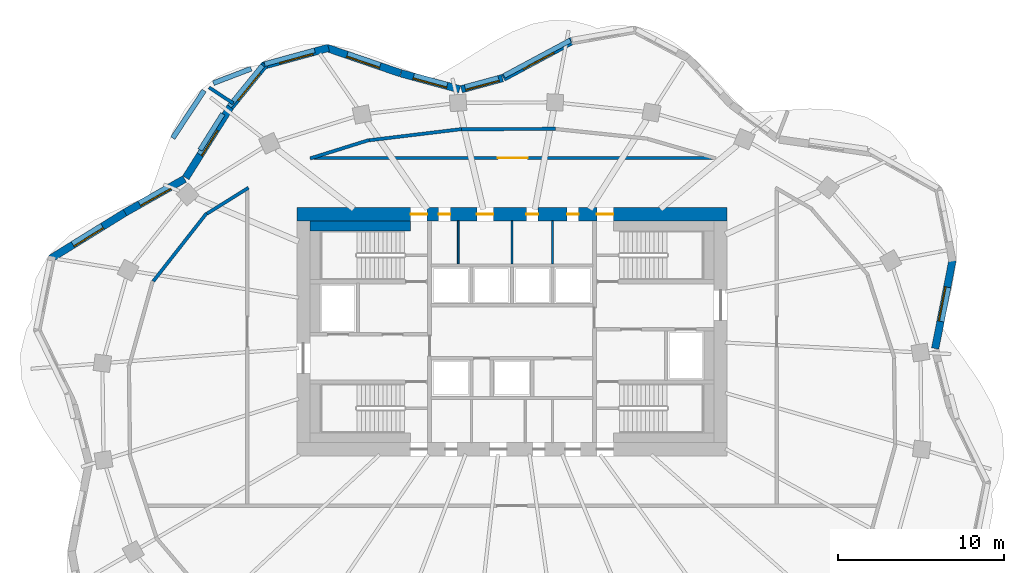
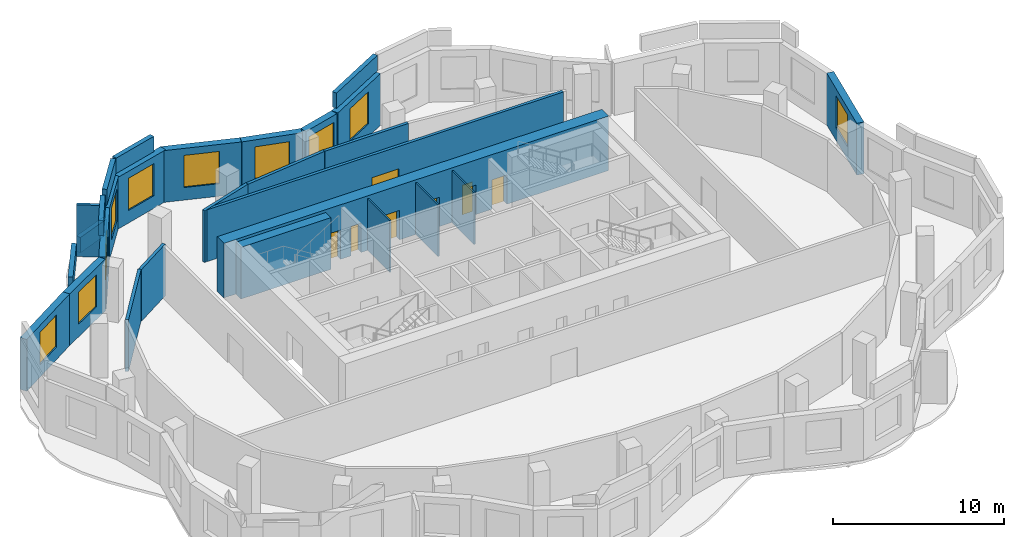
# One storey, part 6 of 8: 28 walls, 10 windows, 7 doors, 17 openings.
"""IFC4 building model written with IfcOpenShell, lengths in metres."""

from ifc_helpers import new_model, si_unit, direction, frame, frame_2d, origin, place, context, subcontext, project, spatial, rectangle, extrude, material, layer, layer_set, type_object, element, fill, save


model = new_model("IFC4")

# Units and contexts
model_context = context("Model", 3, precision=1e-05, world=origin(), true_north=direction((0.0, 1.0)))
body_context = subcontext(model_context, "Body", "Model", "MODEL_VIEW")
ifc_project = project(units=[si_unit("LENGTHUNIT", "METRE"), si_unit("AREAUNIT", "SQUARE_METRE"), si_unit("VOLUMEUNIT", "CUBIC_METRE"), si_unit("PLANEANGLEUNIT", "RADIAN"), si_unit("MASSUNIT", "GRAM", prefix="KILO")], contexts=[model_context])

# Site, building, storey
site_placement = place(None, origin())
site = spatial("IfcSite", under=ifc_project, at=site_placement, CompositionType="ELEMENT")
building_placement = place(site_placement, origin())
building = spatial("IfcBuilding", under=site, at=building_placement, Name="Rubra Terraces Tower", CompositionType="ELEMENT")
storey_placement = place(building_placement, frame((0.0, 0.0, 193.5)))
storey = spatial("IfcBuildingStorey", under=building, at=storey_placement, Name="L47", CompositionType="ELEMENT", Elevation=193.5)

# Walls
ifc_material_1 = material(Name="Brick masonry red-brown", Category="masonry")
ifc_layer_1 = layer(ifc_material_1, 0.300048828125)
ifc_layer_set_1 = layer_set([ifc_layer_1], Name="Brick masonry red-brown")
wall_type_1 = type_object("IfcWallType", Name="Brick edge guard 300", PredefinedType="PARAPET", material=ifc_layer_set_1)
wall_1_placement = place(storey_placement, frame((-20.486083984375, 16.201904296875, 0.0), z_axis=(0.0, 0.0, 1.0), x_axis=(0.550693748255, 0.834707371258, 0.0)))
element("IfcWall", 1, at=wall_1_placement, inside=storey, type_object=wall_type_1, Name="Edge guard L47.1", PredefinedType="PARAPET", context=body_context, shape_type="SweptSolid", body=[
    extrude(rectangle(XDim=3.436767578125, YDim=0.300048828125, at=frame_2d((1.71826171875, 0.0))), origin(), (0.0, 0.0, 1.0), 1.10009765625),
])
wall_2_placement = place(storey_placement, frame((-18.039794921875, 19.51806640625, 0.0), z_axis=(0.0, 0.0, 1.0), x_axis=(0.934050856072, 0.357140026139, 0.0)))
element("IfcWall", 2, at=wall_2_placement, inside=storey, type_object=wall_type_1, Name="Edge guard L47.2", PredefinedType="PARAPET", context=body_context, shape_type="SweptSolid", body=[
    extrude(rectangle(XDim=2.447265625, YDim=0.300048828125, at=frame_2d((1.2236328125, 0.0))), origin(), (0.0, 0.0, 1.0), 1.10009765625),
])

# Wall, opening, window
ifc_layer_2 = layer(ifc_material_1, 0.449951171875)
ifc_layer_set_2 = layer_set([ifc_layer_2], Name="Brick masonry red-brown")
wall_type_2 = type_object("IfcWallType", Name="Brick facade wall 450", PredefinedType="SOLIDWALL", material=ifc_layer_set_2)
wall_3_placement = place(storey_placement, frame((25.561279296875, 3.490478515625, 0.0), z_axis=(0.0, 0.0, 1.0), x_axis=(0.192494026297, 0.981298145234, 0.0)))
wall_3 = element("IfcWall", 3, at=wall_3_placement, inside=storey, type_object=wall_type_2, Name="Facade wall L47 bay 2", PredefinedType="SOLIDWALL", context=body_context, shape_type="SweptSolid", body=[
    extrude(rectangle(XDim=5.446044921875, YDim=0.449951171875, at=frame_2d((2.72314453125, 0.0))), origin(), (0.0, 0.0, 1.0), 3.699951171875),
])
opening_1_placement = place(wall_3_placement, frame((1.673095703125, 0.0, 0.89990234375)))
opening_1 = element("IfcOpeningElement", 4, at=opening_1_placement, cuts=wall_3, Name="Opening W1B", PredefinedType="OPENING", context=body_context, shape_type="SweptSolid", body=[
    extrude(rectangle(XDim=2.10009765625, YDim=2.300048828125, at=frame_2d((1.050048828125, 1.14990234375))), frame((0.0, 0.23486328125, 0.0), z_axis=(0.0, -1.0, 0.0), x_axis=(1.0, 0.0, 0.0)), (0.0, 0.0, 1.0), 0.469970703125),
])
ifc_material_2 = material(Name="Clear glass in aluminium frame", Category="aluminium")
window_type_1 = type_object("IfcWindowType", Name="Fixed deep-set window tall storey 2100 x 2300", PartitioningType="SINGLE_PANEL", PredefinedType="WINDOW", material=ifc_material_2)
window_1_placement = place(opening_1_placement, origin())
window_1 = element("IfcWindow", 5, at=window_1_placement, inside=storey, type_object=window_type_1, Name="Window L47 bay 2", OverallHeight=2.300048828125, OverallWidth=2.10009765625, PartitioningType="SINGLE_PANEL", PredefinedType="WINDOW", context=body_context, shape_type="SweptSolid", body=[
    extrude(rectangle(XDim=2.10009765625, YDim=2.300048828125, at=frame_2d((1.050048828125, 1.14990234375))), frame((0.0, 0.135009765625, 0.0), z_axis=(0.0, -1.0, 0.0), x_axis=(1.0, 0.0, 0.0)), (0.0, 0.0, 1.0), 0.06005859375),
])
fill(opening_1, window_1)

wall_4_placement = place(storey_placement, frame((3.6455078125, 22.07861328125, 0.0), z_axis=(0.0, 0.0, 1.0), x_axis=(-0.881279133897, -0.472596115259, 0.0)))
wall_4 = element("IfcWall", 6, at=wall_4_placement, inside=storey, type_object=wall_type_2, Name="Facade wall L47 bay 10", PredefinedType="SOLIDWALL", context=body_context, shape_type="SweptSolid", body=[
    extrude(rectangle(XDim=4.736572265625, YDim=0.449951171875, at=frame_2d((2.3681640625, 0.0))), origin(), (0.0, 0.0, 1.0), 3.699951171875),
])
opening_2_placement = place(wall_4_placement, frame((1.318115234375, 0.0, 0.89990234375)))
opening_2 = element("IfcOpeningElement", 7, at=opening_2_placement, cuts=wall_4, Name="Opening W1B", PredefinedType="OPENING", context=body_context, shape_type="SweptSolid", body=[
    extrude(rectangle(XDim=2.10009765625, YDim=2.300048828125, at=frame_2d((1.050048828125, 1.14990234375))), frame((0.0, 0.23486328125, 0.0), z_axis=(0.0, -1.0, 0.0), x_axis=(1.0, 0.0, 0.0)), (0.0, 0.0, 1.0), 0.469970703125),
])
window_2_placement = place(opening_2_placement, origin())
window_2 = element("IfcWindow", 8, at=window_2_placement, inside=storey, type_object=window_type_1, Name="Window L47 bay 10", OverallHeight=2.300048828125, OverallWidth=2.10009765625, PartitioningType="SINGLE_PANEL", PredefinedType="WINDOW", context=body_context, shape_type="SweptSolid", body=[
    extrude(rectangle(XDim=2.10009765625, YDim=2.300048828125, at=frame_2d((1.050048828125, 1.14990234375))), frame((0.0, 0.135009765625, 0.0), z_axis=(0.0, -1.0, 0.0), x_axis=(1.0, 0.0, 0.0)), (0.0, 0.0, 1.0), 0.06005859375),
])
fill(opening_2, window_2)

wall_5_placement = place(storey_placement, frame((-0.576171875, 19.8212890625, 0.0), z_axis=(0.0, 0.0, 1.0), x_axis=(-0.965009398019, -0.262215296532, 0.0)))
wall_5 = element("IfcWall", 9, at=wall_5_placement, inside=storey, type_object=wall_type_2, Name="Facade wall L47 bay 11", PredefinedType="SOLIDWALL", context=body_context, shape_type="SweptSolid", body=[
    extrude(rectangle(XDim=2.565185546875, YDim=0.449951171875, at=frame_2d((1.28271484375, 0.0))), origin(), (0.0, 0.0, 1.0), 3.699951171875),
])
opening_3_placement = place(wall_5_placement, frame((0.232666015625, 0.0, 0.89990234375)))
opening_3 = element("IfcOpeningElement", 10, at=opening_3_placement, cuts=wall_5, Name="Opening W1B", PredefinedType="OPENING", context=body_context, shape_type="SweptSolid", body=[
    extrude(rectangle(XDim=2.10009765625, YDim=2.300048828125, at=frame_2d((1.050048828125, 1.14990234375))), frame((0.0, 0.23486328125, 0.0), z_axis=(0.0, -1.0, 0.0), x_axis=(1.0, 0.0, 0.0)), (0.0, 0.0, 1.0), 0.469970703125),
])
window_3_placement = place(opening_3_placement, origin())
window_3 = element("IfcWindow", 11, at=window_3_placement, inside=storey, type_object=window_type_1, Name="Window L47 bay 11", OverallHeight=2.300048828125, OverallWidth=2.10009765625, PartitioningType="SINGLE_PANEL", PredefinedType="WINDOW", context=body_context, shape_type="SweptSolid", body=[
    extrude(rectangle(XDim=2.10009765625, YDim=2.300048828125, at=frame_2d((1.050048828125, 1.14990234375))), frame((0.0, 0.135009765625, 0.0), z_axis=(0.0, -1.0, 0.0), x_axis=(1.0, 0.0, 0.0)), (0.0, 0.0, 1.0), 0.06005859375),
])
fill(opening_3, window_3)

wall_6_placement = place(storey_placement, frame((-3.164306640625, 19.147216796875, 0.0), z_axis=(0.0, 0.0, 1.0), x_axis=(-0.965039479998, 0.262104563191, 0.0)))
wall_6 = element("IfcWall", 12, at=wall_6_placement, inside=storey, type_object=wall_type_2, Name="Facade wall L47 bay 12", PredefinedType="SOLIDWALL", context=body_context, shape_type="SweptSolid", body=[
    extrude(rectangle(XDim=3.671875, YDim=0.449951171875, at=frame_2d((1.8359375, 0.0))), origin(), (0.0, 0.0, 1.0), 3.699951171875),
])
opening_4_placement = place(wall_6_placement, frame((0.785888671875, 0.0, 0.89990234375)))
opening_4 = element("IfcOpeningElement", 13, at=opening_4_placement, cuts=wall_6, Name="Opening W1B", PredefinedType="OPENING", context=body_context, shape_type="SweptSolid", body=[
    extrude(rectangle(XDim=2.10009765625, YDim=2.300048828125, at=frame_2d((1.050048828125, 1.14990234375))), frame((0.0, 0.23486328125, 0.0), z_axis=(0.0, -1.0, 0.0), x_axis=(1.0, 0.0, 0.0)), (0.0, 0.0, 1.0), 0.469970703125),
])
window_4_placement = place(opening_4_placement, origin())
window_4 = element("IfcWindow", 14, at=window_4_placement, inside=storey, type_object=window_type_1, Name="Window L47 bay 12", OverallHeight=2.300048828125, OverallWidth=2.10009765625, PartitioningType="SINGLE_PANEL", PredefinedType="WINDOW", context=body_context, shape_type="SweptSolid", body=[
    extrude(rectangle(XDim=2.10009765625, YDim=2.300048828125, at=frame_2d((1.050048828125, 1.14990234375))), frame((0.0, 0.135009765625, 0.0), z_axis=(0.0, -1.0, 0.0), x_axis=(1.0, 0.0, 0.0)), (0.0, 0.0, 1.0), 0.06005859375),
])
fill(opening_4, window_4)

wall_7_placement = place(storey_placement, frame((-6.722900390625, 20.114013671875, 0.0), z_axis=(0.0, 0.0, 1.0), x_axis=(-0.945947299026, 0.324320377815, 0.0)))
wall_7 = element("IfcWall", 15, at=wall_7_placement, inside=storey, type_object=wall_type_2, Name="Facade wall L47 bay 13", PredefinedType="SOLIDWALL", context=body_context, shape_type="SweptSolid", body=[
    extrude(rectangle(XDim=4.74462890625, YDim=0.449951171875, at=frame_2d((2.372314453125, 0.0))), origin(), (0.0, 0.0, 1.0), 3.699951171875),
])
opening_5_placement = place(wall_7_placement, frame((1.322265625, 0.0, 0.89990234375)))
opening_5 = element("IfcOpeningElement", 16, at=opening_5_placement, cuts=wall_7, Name="Opening W1B", PredefinedType="OPENING", context=body_context, shape_type="SweptSolid", body=[
    extrude(rectangle(XDim=2.10009765625, YDim=2.300048828125, at=frame_2d((1.050048828125, 1.14990234375))), frame((0.0, 0.23486328125, 0.0), z_axis=(0.0, -1.0, 0.0), x_axis=(1.0, 0.0, 0.0)), (0.0, 0.0, 1.0), 0.469970703125),
])
window_5_placement = place(opening_5_placement, origin())
window_5 = element("IfcWindow", 17, at=window_5_placement, inside=storey, type_object=window_type_1, Name="Window L47 bay 13", OverallHeight=2.300048828125, OverallWidth=2.10009765625, PartitioningType="SINGLE_PANEL", PredefinedType="WINDOW", context=body_context, shape_type="SweptSolid", body=[
    extrude(rectangle(XDim=2.10009765625, YDim=2.300048828125, at=frame_2d((1.050048828125, 1.14990234375))), frame((0.0, 0.135009765625, 0.0), z_axis=(0.0, -1.0, 0.0), x_axis=(1.0, 0.0, 0.0)), (0.0, 0.0, 1.0), 0.06005859375),
])
fill(opening_5, window_5)

wall_8_placement = place(storey_placement, frame((-11.08251953125, 21.64990234375, 0.0), z_axis=(0.0, 0.0, 1.0), x_axis=(-0.964483204983, -0.264144179011, 0.0)))
wall_8 = element("IfcWall", 18, at=wall_8_placement, inside=storey, type_object=wall_type_2, Name="Facade wall L47 bay 14", PredefinedType="SOLIDWALL", context=body_context, shape_type="SweptSolid", body=[
    extrude(rectangle(XDim=4.103759765625, YDim=0.449951171875, at=frame_2d((2.0517578125, 0.0))), origin(), (0.0, 0.0, 1.0), 3.699951171875),
])
opening_6_placement = place(wall_8_placement, frame((1.001953125, 0.0, 0.89990234375)))
opening_6 = element("IfcOpeningElement", 19, at=opening_6_placement, cuts=wall_8, Name="Opening W1B", PredefinedType="OPENING", context=body_context, shape_type="SweptSolid", body=[
    extrude(rectangle(XDim=2.10009765625, YDim=2.300048828125, at=frame_2d((1.050048828125, 1.14990234375))), frame((0.0, 0.23486328125, 0.0), z_axis=(0.0, -1.0, 0.0), x_axis=(1.0, 0.0, 0.0)), (0.0, 0.0, 1.0), 0.469970703125),
])
window_6_placement = place(opening_6_placement, origin())
window_6 = element("IfcWindow", 20, at=window_6_placement, inside=storey, type_object=window_type_1, Name="Window L47 bay 14", OverallHeight=2.300048828125, OverallWidth=2.10009765625, PartitioningType="SINGLE_PANEL", PredefinedType="WINDOW", context=body_context, shape_type="SweptSolid", body=[
    extrude(rectangle(XDim=2.10009765625, YDim=2.300048828125, at=frame_2d((1.050048828125, 1.14990234375))), frame((0.0, 0.135009765625, 0.0), z_axis=(0.0, -1.0, 0.0), x_axis=(1.0, 0.0, 0.0)), (0.0, 0.0, 1.0), 0.06005859375),
])
fill(opening_6, window_6)

wall_9_placement = place(storey_placement, frame((-14.925537109375, 20.640869140625, 0.0), z_axis=(0.0, 0.0, 1.0), x_axis=(-0.631548074669, -0.775336720001, 0.0)))
wall_9 = element("IfcWall", 21, at=wall_9_placement, inside=storey, type_object=wall_type_2, Name="Facade wall L47 bay 15", PredefinedType="SOLIDWALL", context=body_context, shape_type="SweptSolid", body=[
    extrude(rectangle(XDim=3.3076171875, YDim=0.449951171875, at=frame_2d((1.65380859375, 0.0))), origin(), (0.0, 0.0, 1.0), 3.699951171875),
])
opening_7_placement = place(wall_9_placement, frame((0.603759765625, 0.0, 0.89990234375)))
opening_7 = element("IfcOpeningElement", 22, at=opening_7_placement, cuts=wall_9, Name="Opening W1B", PredefinedType="OPENING", context=body_context, shape_type="SweptSolid", body=[
    extrude(rectangle(XDim=2.10009765625, YDim=2.300048828125, at=frame_2d((1.050048828125, 1.14990234375))), frame((0.0, 0.23486328125, 0.0), z_axis=(0.0, -1.0, 0.0), x_axis=(1.0, 0.0, 0.0)), (0.0, 0.0, 1.0), 0.469970703125),
])
window_7_placement = place(opening_7_placement, origin())
window_7 = element("IfcWindow", 23, at=window_7_placement, inside=storey, type_object=window_type_1, Name="Window L47 bay 15", OverallHeight=2.300048828125, OverallWidth=2.10009765625, PartitioningType="SINGLE_PANEL", PredefinedType="WINDOW", context=body_context, shape_type="SweptSolid", body=[
    extrude(rectangle(XDim=2.10009765625, YDim=2.300048828125, at=frame_2d((1.050048828125, 1.14990234375))), frame((0.0, 0.135009765625, 0.0), z_axis=(0.0, -1.0, 0.0), x_axis=(1.0, 0.0, 0.0)), (0.0, 0.0, 1.0), 0.06005859375),
])
fill(opening_7, window_7)

wall_10_placement = place(storey_placement, frame((-16.998291015625, 18.0986328125, 0.0), z_axis=(0.0, 0.0, 1.0), x_axis=(-0.532745661304, -0.846275404559, 0.0)))
wall_10 = element("IfcWall", 24, at=wall_10_placement, inside=storey, type_object=wall_type_2, Name="Facade wall L47 bay 16", PredefinedType="SOLIDWALL", context=body_context, shape_type="SweptSolid", body=[
    extrude(rectangle(XDim=5.076171875, YDim=0.449951171875, at=frame_2d((2.5380859375, 0.0))), origin(), (0.0, 0.0, 1.0), 3.699951171875),
])
opening_8_placement = place(wall_10_placement, frame((1.63818359375, 0.0, 0.89990234375)))
opening_8 = element("IfcOpeningElement", 25, at=opening_8_placement, cuts=wall_10, Name="Opening W6B", PredefinedType="OPENING", context=body_context, shape_type="SweptSolid", body=[
    extrude(rectangle(XDim=1.800048828125, YDim=2.300048828125, at=frame_2d((0.89990234375, 1.14990234375))), frame((0.0, 0.23486328125, 0.0), z_axis=(0.0, -1.0, 0.0), x_axis=(1.0, 0.0, 0.0)), (0.0, 0.0, 1.0), 0.469970703125),
])
window_type_2 = type_object("IfcWindowType", Name="Fixed deep-set window at wind fin tall storey 1800 x 2300", PartitioningType="SINGLE_PANEL", PredefinedType="WINDOW", material=ifc_material_2)
window_8_placement = place(opening_8_placement, origin())
window_8 = element("IfcWindow", 26, at=window_8_placement, inside=storey, type_object=window_type_2, Name="Window L47 bay 16", OverallHeight=2.300048828125, OverallWidth=1.800048828125, PartitioningType="SINGLE_PANEL", PredefinedType="WINDOW", context=body_context, shape_type="SweptSolid", body=[
    extrude(rectangle(XDim=1.800048828125, YDim=2.300048828125, at=frame_2d((0.89990234375, 1.14990234375))), frame((0.0, 0.135009765625, 0.0), z_axis=(0.0, -1.0, 0.0), x_axis=(1.0, 0.0, 0.0)), (0.0, 0.0, 1.0), 0.06005859375),
])
fill(opening_8, window_8)

wall_11_placement = place(storey_placement, frame((-19.77587890625, 13.730712890625, 0.0), z_axis=(0.0, 0.0, 1.0), x_axis=(-0.870610133829, -0.491973571318, 0.0)))
wall_11 = element("IfcWall", 27, at=wall_11_placement, inside=storey, type_object=wall_type_2, Name="Facade wall L47 bay 17", PredefinedType="SOLIDWALL", context=body_context, shape_type="SweptSolid", body=[
    extrude(rectangle(XDim=4.1337890625, YDim=0.449951171875, at=frame_2d((2.06689453125, 0.0))), origin(), (0.0, 0.0, 1.0), 3.699951171875),
])
opening_9_placement = place(wall_11_placement, frame((1.016845703125, 0.0, 0.89990234375)))
opening_9 = element("IfcOpeningElement", 28, at=opening_9_placement, cuts=wall_11, Name="Opening W1B", PredefinedType="OPENING", context=body_context, shape_type="SweptSolid", body=[
    extrude(rectangle(XDim=2.10009765625, YDim=2.300048828125, at=frame_2d((1.050048828125, 1.14990234375))), frame((0.0, 0.23486328125, 0.0), z_axis=(0.0, -1.0, 0.0), x_axis=(1.0, 0.0, 0.0)), (0.0, 0.0, 1.0), 0.469970703125),
])
window_9_placement = place(opening_9_placement, origin())
window_9 = element("IfcWindow", 29, at=window_9_placement, inside=storey, type_object=window_type_1, Name="Window L47 bay 17", OverallHeight=2.300048828125, OverallWidth=2.10009765625, PartitioningType="SINGLE_PANEL", PredefinedType="WINDOW", context=body_context, shape_type="SweptSolid", body=[
    extrude(rectangle(XDim=2.10009765625, YDim=2.300048828125, at=frame_2d((1.050048828125, 1.14990234375))), frame((0.0, 0.135009765625, 0.0), z_axis=(0.0, -1.0, 0.0), x_axis=(1.0, 0.0, 0.0)), (0.0, 0.0, 1.0), 0.06005859375),
])
fill(opening_9, window_9)

wall_12_placement = place(storey_placement, frame((-23.368408203125, 11.700927734375, 0.0), z_axis=(0.0, 0.0, 1.0), x_axis=(-0.850251408633, -0.526376806211, 0.0)))
wall_12 = element("IfcWall", 30, at=wall_12_placement, inside=storey, type_object=wall_type_2, Name="Facade wall L47 bay 18", PredefinedType="SOLIDWALL", context=body_context, shape_type="SweptSolid", body=[
    extrude(rectangle(XDim=5.30224609375, YDim=0.449951171875, at=frame_2d((2.651123046875, 0.0))), origin(), (0.0, 0.0, 1.0), 3.699951171875),
])
opening_10_placement = place(wall_12_placement, frame((1.601318359375, 0.0, 0.89990234375)))
opening_10 = element("IfcOpeningElement", 31, at=opening_10_placement, cuts=wall_12, Name="Opening W1B", PredefinedType="OPENING", context=body_context, shape_type="SweptSolid", body=[
    extrude(rectangle(XDim=2.10009765625, YDim=2.300048828125, at=frame_2d((1.050048828125, 1.14990234375))), frame((0.0, 0.23486328125, 0.0), z_axis=(0.0, -1.0, 0.0), x_axis=(1.0, 0.0, 0.0)), (0.0, 0.0, 1.0), 0.469970703125),
])
window_10_placement = place(opening_10_placement, origin())
window_10 = element("IfcWindow", 32, at=window_10_placement, inside=storey, type_object=window_type_1, Name="Window L47 bay 18", OverallHeight=2.300048828125, OverallWidth=2.10009765625, PartitioningType="SINGLE_PANEL", PredefinedType="WINDOW", context=body_context, shape_type="SweptSolid", body=[
    extrude(rectangle(XDim=2.10009765625, YDim=2.300048828125, at=frame_2d((1.050048828125, 1.14990234375))), frame((0.0, 0.135009765625, 0.0), z_axis=(0.0, -1.0, 0.0), x_axis=(1.0, 0.0, 0.0)), (0.0, 0.0, 1.0), 0.06005859375),
])
fill(opening_10, window_10)

# Walls
ifc_layer_3 = layer(ifc_material_1, 0.300048828125)
ifc_layer_set_3 = layer_set([ifc_layer_3], Name="Brick masonry red-brown")
wall_type_3 = type_object("IfcWallType", Name="Brick parapet 300", PredefinedType="PARAPET", material=ifc_layer_set_3)
wall_13_placement = place(storey_placement, frame((3.52978515625, 22.105712890625, 3.89990234375), z_axis=(0.0, 0.0, 1.0), x_axis=(-0.881258931682, -0.472633785643, 0.0)))
element("IfcWall", 33, at=wall_13_placement, inside=storey, type_object=wall_type_3, Name="Parapet L47 bay 10", PredefinedType="PARAPET", context=body_context, shape_type="SweptSolid", body=[
    extrude(rectangle(XDim=4.55029296875, YDim=0.300048828125, at=frame_2d((2.275146484375, 0.0))), origin(), (0.0, 0.0, 1.0), 1.10009765625),
])
wall_14_placement = place(storey_placement, frame((-11.916259765625, 21.49951171875, 3.89990234375), z_axis=(0.0, 0.0, 1.0), x_axis=(-0.964473787466, -0.264178563271, 0.0)))
element("IfcWall", 34, at=wall_14_placement, inside=storey, type_object=wall_type_3, Name="Parapet L47 bay 14", PredefinedType="PARAPET", context=body_context, shape_type="SweptSolid", body=[
    extrude(rectangle(XDim=3.1337890625, YDim=0.300048828125, at=frame_2d((1.56689453125, 0.0))), origin(), (0.0, 0.0, 1.0), 1.10009765625),
])
wall_15_placement = place(storey_placement, frame((-15.063232421875, 20.590576171875, 3.89990234375), z_axis=(0.0, 0.0, 1.0), x_axis=(-0.631539712948, -0.775343530939, 0.0)))
element("IfcWall", 35, at=wall_15_placement, inside=storey, type_object=wall_type_3, Name="Parapet L47 bay 15", PredefinedType="PARAPET", context=body_context, shape_type="SweptSolid", body=[
    extrude(rectangle(XDim=3.181640625, YDim=0.300048828125, at=frame_2d((1.5908203125, 0.0))), origin(), (0.0, 0.0, 1.0), 1.10009765625),
])
wall_16_placement = place(storey_placement, frame((-17.4658203125, 17.663818359375, 3.89990234375), z_axis=(0.0, 0.0, 1.0), x_axis=(-0.532743008157, -0.846277074758, 0.0)))
element("IfcWall", 36, at=wall_16_placement, inside=storey, type_object=wall_type_3, Name="Parapet L47 bay 16", PredefinedType="PARAPET", context=body_context, shape_type="SweptSolid", body=[
    extrude(rectangle(XDim=2.58056640625, YDim=0.300048828125, at=frame_2d((1.290283203125, 0.0))), origin(), (0.0, 0.0, 1.0), 1.10009765625),
])
ifc_layer_4 = layer(ifc_material_1, 0.199951171875)
ifc_layer_set_4 = layer_set([ifc_layer_4], Name="Brick masonry red-brown")
wall_type_4 = type_object("IfcWallType", Name="Brick wind fin 200", PredefinedType="SOLIDWALL", material=ifc_layer_set_4)
wall_17_placement = place(storey_placement, frame((-16.837890625, 18.298095703125, 0.0), z_axis=(0.0, 0.0, 1.0), x_axis=(-0.835871900419, 0.548924554097, 0.0)))
element("IfcWall", 37, at=wall_17_placement, inside=storey, type_object=wall_type_4, Name="Wind fin L47 9", PredefinedType="SOLIDWALL", context=body_context, shape_type="SweptSolid", body=[
    extrude(rectangle(XDim=1.750244140625, YDim=0.199951171875, at=frame_2d((0.875, 0.0))), origin(), (0.0, 0.0, 1.0), 3.699951171875),
])

# Wall, openings, doors
ifc_material_3 = material(Name="Concrete C50", Category="concrete")
ifc_layer_5 = layer(ifc_material_3, 0.800048828125)
ifc_layer_set_5 = layer_set([ifc_layer_5], Name="Concrete C50")
wall_type_5 = type_object("IfcWallType", Name="CORE WALL 800 C50", PredefinedType="SHEAR", material=ifc_layer_set_5)
wall_18_placement = place(storey_placement, frame((-13.0, 11.60009765625, 0.0), z_axis=(0.0, 0.0, 1.0), x_axis=(1.0, 0.0, 0.0)))
wall_18 = element("IfcWall", 38, at=wall_18_placement, inside=storey, type_object=wall_type_5, Name="CORE WALL N L47", PredefinedType="SHEAR", context=body_context, shape_type="SweptSolid", body=[
    extrude(rectangle(XDim=26.0, YDim=0.800048828125, at=frame_2d((13.0, 0.0))), origin(), (0.0, 0.0, 1.0), 3.89990234375),
])
opening_11_placement = place(wall_18_placement, frame((8.574951171875, 0.0, 0.0)))
opening_11 = element("IfcOpeningElement", 39, at=opening_11_placement, cuts=wall_18, Name="Opening L47.C19", PredefinedType="OPENING", context=body_context, shape_type="SweptSolid", body=[
    extrude(rectangle(XDim=0.699951171875, YDim=2.10009765625, at=frame_2d((0.35009765625, 1.050048828125))), frame((0.0, 0.409912109375, 0.0), z_axis=(0.0, -1.0, 0.0), x_axis=(1.0, 0.0, 0.0)), (0.0, 0.0, 1.0), 0.820068359375),
])
opening_12_placement = place(wall_18_placement, frame((10.875, 0.0, 0.0)))
opening_12 = element("IfcOpeningElement", 40, at=opening_12_placement, cuts=wall_18, Name="Opening L47.C20", PredefinedType="OPENING", context=body_context, shape_type="SweptSolid", body=[
    extrude(rectangle(XDim=1.0, YDim=2.10009765625, at=frame_2d((0.5, 1.050048828125))), frame((0.0, 0.409912109375, 0.0), z_axis=(0.0, -1.0, 0.0), x_axis=(1.0, 0.0, 0.0)), (0.0, 0.0, 1.0), 0.820068359375),
])
opening_13_placement = place(wall_18_placement, frame((13.875, 0.0, 0.0)))
opening_13 = element("IfcOpeningElement", 41, at=opening_13_placement, cuts=wall_18, Name="Opening L47.C21", PredefinedType="OPENING", context=body_context, shape_type="SweptSolid", body=[
    extrude(rectangle(XDim=0.699951171875, YDim=2.10009765625, at=frame_2d((0.35009765625, 1.050048828125))), frame((0.0, 0.409912109375, 0.0), z_axis=(0.0, -1.0, 0.0), x_axis=(1.0, 0.0, 0.0)), (0.0, 0.0, 1.0), 0.820068359375),
])
opening_14_placement = place(wall_18_placement, frame((16.324951171875, 0.0, 0.0)))
opening_14 = element("IfcOpeningElement", 42, at=opening_14_placement, cuts=wall_18, Name="Opening L47.C22", PredefinedType="OPENING", context=body_context, shape_type="SweptSolid", body=[
    extrude(rectangle(XDim=0.699951171875, YDim=2.10009765625, at=frame_2d((0.35009765625, 1.050048828125))), frame((0.0, 0.409912109375, 0.0), z_axis=(0.0, -1.0, 0.0), x_axis=(1.0, 0.0, 0.0)), (0.0, 0.0, 1.0), 0.820068359375),
])
opening_15_placement = place(wall_18_placement, frame((6.8798828125, 0.0, 0.0)))
opening_15 = element("IfcOpeningElement", 43, at=opening_15_placement, cuts=wall_18, Name="Opening L47.C24", PredefinedType="OPENING", context=body_context, shape_type="SweptSolid", body=[
    extrude(rectangle(XDim=1.0, YDim=2.10009765625, at=frame_2d((0.5, 1.050048828125))), frame((0.0, 0.409912109375, 0.0), z_axis=(0.0, -1.0, 0.0), x_axis=(1.0, 0.0, 0.0)), (0.0, 0.0, 1.0), 0.820068359375),
])
opening_16_placement = place(wall_18_placement, frame((18.1201171875, 0.0, 0.0)))
opening_16 = element("IfcOpeningElement", 44, at=opening_16_placement, cuts=wall_18, Name="Opening L47.C25", PredefinedType="OPENING", context=body_context, shape_type="SweptSolid", body=[
    extrude(rectangle(XDim=1.0, YDim=2.10009765625, at=frame_2d((0.5, 1.050048828125))), frame((0.0, 0.409912109375, 0.0), z_axis=(0.0, -1.0, 0.0), x_axis=(1.0, 0.0, 0.0)), (0.0, 0.0, 1.0), 0.820068359375),
])
ifc_material_4 = material(Name="Painted steel", Category="steel")
door_type_1 = type_object("IfcDoorType", Name="Fire door 1000x2100 single", OperationType="NOTDEFINED", PredefinedType="DOOR", material=ifc_material_4)
door_1_placement = place(opening_12_placement, origin())
door_1 = element("IfcDoor", 45, at=door_1_placement, inside=storey, type_object=door_type_1, Name="General store door", OperationType="SINGLE_SWING_RIGHT", OverallHeight=2.10009765625, OverallWidth=1.0, PredefinedType="DOOR", context=body_context, shape_type="SweptSolid", body=[
    extrude(rectangle(XDim=1.0, YDim=2.10009765625, at=frame_2d((0.5, 1.050048828125))), frame((0.0, 0.02490234375, 0.0), z_axis=(0.0, -1.0, 0.0), x_axis=(1.0, 0.0, 0.0)), (0.0, 0.0, 1.0), 0.050048828125),
])
fill(opening_12, door_1)
door_2_placement = place(opening_15_placement, origin())
door_2 = element("IfcDoor", 46, at=door_2_placement, inside=storey, type_object=door_type_1, Name="Stair S2 refuge door", OperationType="SINGLE_SWING_RIGHT", OverallHeight=2.10009765625, OverallWidth=1.0, PredefinedType="DOOR", context=body_context, shape_type="SweptSolid", body=[
    extrude(rectangle(XDim=1.0, YDim=2.10009765625, at=frame_2d((0.5, 1.050048828125))), frame((0.0, 0.02490234375, 0.0), z_axis=(0.0, -1.0, 0.0), x_axis=(1.0, 0.0, 0.0)), (0.0, 0.0, 1.0), 0.050048828125),
])
fill(opening_15, door_2)
door_3_placement = place(opening_16_placement, origin())
door_3 = element("IfcDoor", 47, at=door_3_placement, inside=storey, type_object=door_type_1, Name="Stair S3 refuge door", OperationType="SINGLE_SWING_LEFT", OverallHeight=2.10009765625, OverallWidth=1.0, PredefinedType="DOOR", context=body_context, shape_type="SweptSolid", body=[
    extrude(rectangle(XDim=1.0, YDim=2.10009765625, at=frame_2d((0.5, 1.050048828125))), frame((0.0, 0.02490234375, 0.0), z_axis=(0.0, -1.0, 0.0), x_axis=(1.0, 0.0, 0.0)), (0.0, 0.0, 1.0), 0.050048828125),
])
fill(opening_16, door_3)
door_type_2 = type_object("IfcDoorType", Name="Riser access door 700x2100 single", OperationType="NOTDEFINED", PredefinedType="DOOR", material=ifc_material_4)
door_4_placement = place(opening_11_placement, origin())
door_4 = element("IfcDoor", 48, at=door_4_placement, inside=storey, type_object=door_type_2, Name="Mechanical riser (water and drainage) door", OperationType="SINGLE_SWING_LEFT", OverallHeight=2.10009765625, OverallWidth=0.699951171875, PredefinedType="DOOR", context=body_context, shape_type="SweptSolid", body=[
    extrude(rectangle(XDim=0.699951171875, YDim=2.10009765625, at=frame_2d((0.35009765625, 1.050048828125))), frame((0.0, 0.02490234375, 0.0), z_axis=(0.0, -1.0, 0.0), x_axis=(1.0, 0.0, 0.0)), (0.0, 0.0, 1.0), 0.050048828125),
])
fill(opening_11, door_4)
door_5_placement = place(opening_13_placement, origin())
door_5 = element("IfcDoor", 49, at=door_5_placement, inside=storey, type_object=door_type_2, Name="Telecoms room door", OperationType="SINGLE_SWING_LEFT", OverallHeight=2.10009765625, OverallWidth=0.699951171875, PredefinedType="DOOR", context=body_context, shape_type="SweptSolid", body=[
    extrude(rectangle(XDim=0.699951171875, YDim=2.10009765625, at=frame_2d((0.35009765625, 1.050048828125))), frame((0.0, 0.02490234375, 0.0), z_axis=(0.0, -1.0, 0.0), x_axis=(1.0, 0.0, 0.0)), (0.0, 0.0, 1.0), 0.050048828125),
])
fill(opening_13, door_5)
door_6_placement = place(opening_14_placement, origin())
door_6 = element("IfcDoor", 50, at=door_6_placement, inside=storey, type_object=door_type_2, Name="M&E riser room door", OperationType="SINGLE_SWING_RIGHT", OverallHeight=2.10009765625, OverallWidth=0.699951171875, PredefinedType="DOOR", context=body_context, shape_type="SweptSolid", body=[
    extrude(rectangle(XDim=0.699951171875, YDim=2.10009765625, at=frame_2d((0.35009765625, 1.050048828125))), frame((0.0, 0.02490234375, 0.0), z_axis=(0.0, -1.0, 0.0), x_axis=(1.0, 0.0, 0.0)), (0.0, 0.0, 1.0), 0.050048828125),
])
fill(opening_14, door_6)

# Walls
ifc_material_5 = material(Name="Concrete C40", Category="concrete")
ifc_layer_6 = layer(ifc_material_5, 0.60009765625)
ifc_layer_set_6 = layer_set([ifc_layer_6], Name="Concrete C40")
wall_type_6 = type_object("IfcWallType", Name="Core lining wall 600 concrete", PredefinedType="SOLIDWALL", material=ifc_layer_set_6)
wall_19_placement = place(storey_placement, frame((-12.199951171875, 10.89990234375, 0.0), z_axis=(0.0, 0.0, 1.0), x_axis=(1.0, 0.0, 0.0)))
element("IfcWall", 51, at=wall_19_placement, inside=storey, type_object=wall_type_6, Name="CORE LINING WALL L47", PredefinedType="SOLIDWALL", context=body_context, shape_type="SweptSolid", body=[
    extrude(rectangle(XDim=6.079833984375, YDim=0.60009765625, at=frame_2d((3.0400390625, 0.0))), origin(), (0.0, 0.0, 1.0), 3.699951171875),
])
ifc_material_6 = material(Name="Blockwork", Category="masonry")
ifc_layer_7 = layer(ifc_material_6, 0.199951171875)
ifc_layer_set_7 = layer_set([ifc_layer_7], Name="Blockwork")
wall_type_7 = type_object("IfcWallType", Name="Corridor partition 200 blockwork", PredefinedType="PARTITIONING", material=ifc_layer_set_7)
wall_20_placement = place(storey_placement, frame((-21.6669921875, 7.552978515625, 0.0), z_axis=(0.0, 0.0, 1.0), x_axis=(0.617143909163, 0.786850300491, 0.0)))
element("IfcWall", 52, at=wall_20_placement, inside=storey, type_object=wall_type_7, Name="Partition wall", PredefinedType="PARTITIONING", context=body_context, shape_type="SweptSolid", body=[
    extrude(rectangle(XDim=5.220703125, YDim=0.199951171875, at=frame_2d((2.6103515625, 0.0))), origin(), (0.0, 0.0, 1.0), 3.699951171875),
])
wall_21_placement = place(storey_placement, frame((-18.422119140625, 11.635009765625, 0.0), z_axis=(0.0, 0.0, 1.0), x_axis=(0.848299824463, 0.529516201656, 0.0)))
element("IfcWall", 53, at=wall_21_placement, inside=storey, type_object=wall_type_7, Name="Partition wall", PredefinedType="PARTITIONING", context=body_context, shape_type="SweptSolid", body=[
    extrude(rectangle(XDim=2.955322265625, YDim=0.199951171875, at=frame_2d((1.4775390625, 0.0))), origin(), (0.0, 0.0, 1.0), 3.699951171875),
])
wall_22_placement = place(storey_placement, frame((-12.193115234375, 14.969970703125, 0.0), z_axis=(0.0, 0.0, 1.0), x_axis=(0.954441570864, 0.298397868301, 0.0)))
element("IfcWall", 54, at=wall_22_placement, inside=storey, type_object=wall_type_7, Name="Partition wall", PredefinedType="PARTITIONING", context=body_context, shape_type="SweptSolid", body=[
    extrude(rectangle(XDim=3.7333984375, YDim=0.199951171875, at=frame_2d((1.86669921875, 0.0))), origin(), (0.0, 0.0, 1.0), 3.699951171875),
])
wall_23_placement = place(storey_placement, frame((-8.6259765625, 16.06591796875, 0.0), z_axis=(0.0, 0.0, 1.0), x_axis=(0.992720392358, 0.120441780942, 0.0)))
element("IfcWall", 55, at=wall_23_placement, inside=storey, type_object=wall_type_7, Name="Partition wall", PredefinedType="PARTITIONING", context=body_context, shape_type="SweptSolid", body=[
    extrude(rectangle(XDim=5.61279296875, YDim=0.199951171875, at=frame_2d((2.806396484375, 0.0))), origin(), (0.0, 0.0, 1.0), 3.699951171875),
])
wall_24_placement = place(storey_placement, frame((-3.052978515625, 16.72998046875, 0.0), z_axis=(0.0, 0.0, 1.0), x_axis=(0.999987762334, 0.004947239951, 0.0)))
element("IfcWall", 56, at=wall_24_placement, inside=storey, type_object=wall_type_7, Name="Partition wall", PredefinedType="PARTITIONING", context=body_context, shape_type="SweptSolid", body=[
    extrude(rectangle(XDim=5.675048828125, YDim=0.199951171875, at=frame_2d((2.83740234375, 0.0))), origin(), (0.0, 0.0, 1.0), 3.699951171875),
])

# Wall, opening, door
wall_25_placement = place(storey_placement, frame((12.10009765625, 15.0, 0.0), z_axis=(0.0, 0.0, 1.0), x_axis=(-1.0, 0.0, 0.0)))
wall_25 = element("IfcWall", 57, at=wall_25_placement, inside=storey, type_object=wall_type_7, Name="Partition wall", PredefinedType="PARTITIONING", context=body_context, shape_type="SweptSolid", body=[
    extrude(rectangle(XDim=24.09814453125, YDim=0.199951171875, at=frame_2d((12.049072265625, 0.0))), origin(), (0.0, 0.0, 1.0), 3.699951171875),
])
opening_17_placement = place(wall_25_placement, frame((11.14892578125, 0.0, 0.0)))
opening_17 = element("IfcOpeningElement", 58, at=opening_17_placement, cuts=wall_25, Name="Opening DB3", PredefinedType="OPENING", context=body_context, shape_type="SweptSolid", body=[
    extrude(rectangle(XDim=1.800048828125, YDim=2.10009765625, at=frame_2d((0.89990234375, 1.050048828125))), frame((0.0, 0.10986328125, 0.0), z_axis=(0.0, -1.0, 0.0), x_axis=(1.0, 0.0, 0.0)), (0.0, 0.0, 1.0), 0.219970703125),
])
door_type_3 = type_object("IfcDoorType", Name="Door 1800x2100 double", OperationType="NOTDEFINED", PredefinedType="DOOR", material=ifc_material_4)
door_7_placement = place(opening_17_placement, origin())
door_7 = element("IfcDoor", 59, at=door_7_placement, inside=storey, type_object=door_type_3, Name="Refuge area door L47-04", OperationType="DOUBLE_DOOR_SINGLE_SWING", OverallHeight=2.10009765625, OverallWidth=1.800048828125, PredefinedType="DOOR", context=body_context, shape_type="SweptSolid", body=[
    extrude(rectangle(XDim=1.800048828125, YDim=2.10009765625, at=frame_2d((0.89990234375, 1.050048828125))), frame((0.0, 0.02490234375, 0.0), z_axis=(0.0, -1.0, 0.0), x_axis=(1.0, 0.0, 0.0)), (0.0, 0.0, 1.0), 0.050048828125),
])
fill(opening_17, door_7)

# Walls
ifc_layer_8 = layer(ifc_material_6, 0.10009765625)
ifc_layer_set_8 = layer_set([ifc_layer_8], Name="Blockwork")
wall_type_8 = type_object("IfcWallType", Name="Service partition 100 blockwork", PredefinedType="PARTITIONING", material=ifc_layer_set_8)
for number, where, z_axis, x_axis, name in (
    (60, (-3.25, 8.60009765625, 0.0), (0.0, 0.0, 1.0), (0.0, 1.0, 0.0), "SERVICE ROOM PARTITION L47"),
    (61, (0.0, 8.60009765625, 0.0), (0.0, 0.0, 1.0), (0.0, 1.0, 0.0), "SERVICE ROOM PARTITION L47"),
    (62, (2.449951171875, 8.60009765625, 0.0), (0.0, 0.0, 1.0), (0.0, 1.0, 0.0), "SERVICE ROOM PARTITION L47"),
):
    element("IfcWall", number, at=place(storey_placement, frame(where, z_axis=z_axis, x_axis=x_axis)), inside=storey, type_object=wall_type_8, Name=name, PredefinedType="PARTITIONING", context=body_context, shape_type="SweptSolid", body=[
        extrude(rectangle(XDim=2.599853515625, YDim=0.10009765625, at=frame_2d((1.2998046875, 0.0))), origin(), (0.0, 0.0, 1.0), 3.699951171875),
    ])

save(model, "model.ifc")
